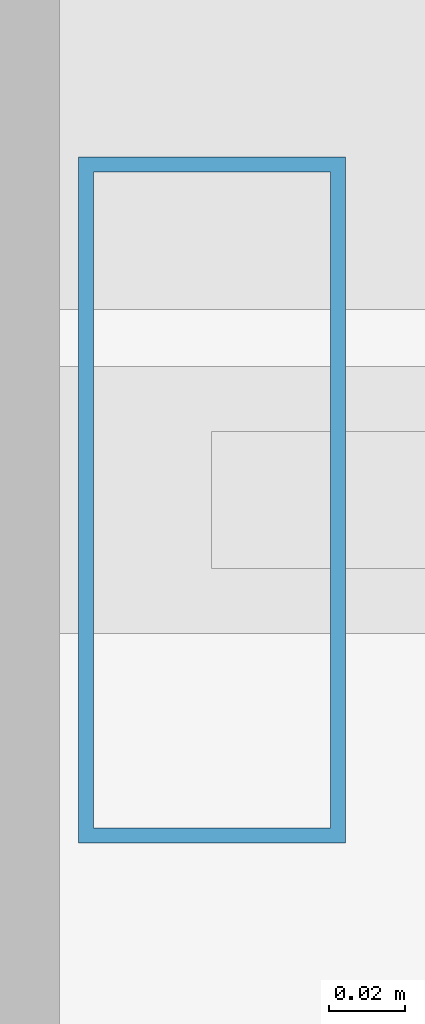
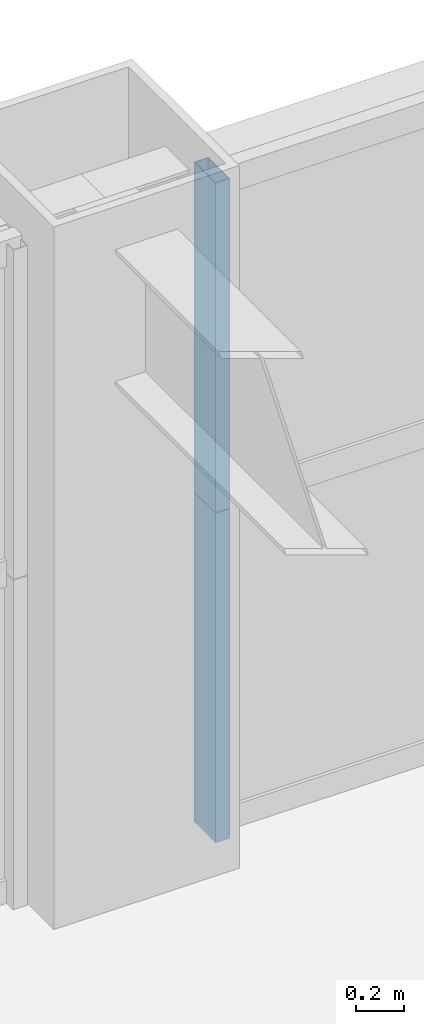
# One storey, part 28 of 41: 2 members, 1 element without a shape of its own.
"""IFC4 building model written with IfcOpenShell, lengths in metres."""

import ifcopenshell
import ifcopenshell.guid

model = None  # the IFC model being written
_history = None  # IfcOwnerHistory: only IFC2X3 demands one
_inside = {}  # id of a spatial element -> (the spatial element, [elements in it])
_under = {}  # id of a project, library or spatial element -> (it, [spatial elements below it])
_declared = {}  # id of a project -> (the project, [libraries it declares])
_typed = {}  # id of a type object -> (the type object, [elements of that type])
_made_of = {}  # id of a material, layer set ... -> (it, [elements and type objects made of it])


def new_model(schema):
    """Start an empty IFC model of exactly this schema.

    Asked for "IFC4X3", IfcOpenShell would pick the latest addendum, in which some entities
    have other attributes; the version numbers below select the first issue.
    IFC2X3 requires an IfcOwnerHistory on every rooted entity: one is made here for all.
    """
    global model, _history
    if schema == "IFC4X3":
        model = ifcopenshell.file(schema_version=(4, 3, 0, 0))
    else:
        model = ifcopenshell.file(schema=schema)
    _inside.clear()
    _under.clear()
    _declared.clear()
    _typed.clear()
    _made_of.clear()
    _history = None
    if model.schema == "IFC2X3":
        org = make("IfcOrganization", Name="unknown")
        user = make(
            "IfcPersonAndOrganization",
            ThePerson=make("IfcPerson", FamilyName="unknown"),
            TheOrganization=org,
        )
        app = make(
            "IfcApplication",
            ApplicationDeveloper=org,
            Version="unknown",
            ApplicationFullName="unknown",
            ApplicationIdentifier="unknown",
        )
        _history = make(
            "IfcOwnerHistory",
            OwningUser=user,
            OwningApplication=app,
            ChangeAction="ADDED",
            CreationDate=0,
        )
    return model


def make(cls, **values):
    """One entity of the class cls with the attributes given. An attribute that is None is left unset."""
    return model.create_entity(
        cls, **{name: value for name, value in values.items() if value is not None}
    )


def rooted(cls, **values):
    """An entity with a GlobalId (a new one), such as an element, a storey or a relation."""
    return make(cls, GlobalId=ifcopenshell.guid.new(), OwnerHistory=_history, **values)


def si_unit(unit_type, name, prefix=None):
    """IfcSIUnit, for example si_unit("LENGTHUNIT", "METRE", prefix="MILLI")."""
    return make("IfcSIUnit", UnitType=unit_type, Prefix=prefix, Name=name)


def assignment(units):
    """IfcUnitAssignment: the units of a project."""
    return None if units is None else make("IfcUnitAssignment", Units=units)


def point(xyz):
    """IfcCartesianPoint."""
    return None if xyz is None else make("IfcCartesianPoint", Coordinates=xyz)


def direction(xyz):
    """IfcDirection."""
    return None if xyz is None else make("IfcDirection", DirectionRatios=xyz)


def frame(location, z_axis=None, x_axis=None):
    """IfcAxis2Placement3D, a coordinate frame: its origin and axes. An axis left out is left unset."""
    return make(
        "IfcAxis2Placement3D",
        Location=point(location),
        Axis=direction(z_axis),
        RefDirection=direction(x_axis),
    )


def frame_2d(location, x_axis=None):
    """IfcAxis2Placement2D, a coordinate frame in the plane: its origin and x axis."""
    return make(
        "IfcAxis2Placement2D", Location=point(location), RefDirection=direction(x_axis)
    )


def origin():
    """The frame at (0, 0, 0) with its axes left unset."""
    return frame((0.0, 0.0, 0.0))


def origin_2d():
    """The frame at (0, 0) in the plane with its x axis left unset."""
    return frame_2d((0.0, 0.0))


def place(relative_to, where):
    """IfcLocalPlacement: puts the frame where relative to a parent placement (None: the world)."""
    return make(
        "IfcLocalPlacement", PlacementRelTo=relative_to, RelativePlacement=where
    )


def context(
    kind, dimensions, precision=None, world=None, true_north=None, identifier=None
):
    """IfcGeometricRepresentationContext, for example the 3D "Model" context."""
    return make(
        "IfcGeometricRepresentationContext",
        ContextIdentifier=identifier,
        ContextType=kind,
        CoordinateSpaceDimension=dimensions,
        Precision=precision,
        WorldCoordinateSystem=world,
        TrueNorth=true_north,
    )


def subcontext(parent, identifier, kind, view, scale=None):
    """IfcGeometricRepresentationSubContext, for example "Body" below "Model"."""
    return make(
        "IfcGeometricRepresentationSubContext",
        ContextIdentifier=identifier,
        ContextType=kind,
        ParentContext=parent,
        TargetScale=scale,
        TargetView=view,
    )


def project(units=None, contexts=None):
    """IfcProject with its units and contexts."""
    return rooted(
        "IfcProject",
        Name="project",
        RepresentationContexts=contexts,
        UnitsInContext=assignment(units),
    )


def spatial(cls, under=None, at=None, **own):
    """A site, building, storey or space (cls), placed at a placement, below another one or the project."""
    s = rooted(cls, ObjectPlacement=at, **own)
    if under is not None:
        _under.setdefault(under.id(), (under, []))[1].append(s)
    return s


def profile(cls, at=None, kind="AREA", **sizes):
    """A parametric profile (cls). Its sizes go by their IFC names, for example OverallWidth=200.0."""
    return make(cls, ProfileType=kind, Position=at, **sizes)


def hollow_rectangle(**sizes):
    """IfcRectangleHollowProfileDef."""
    return profile("IfcRectangleHollowProfileDef", **sizes)


def extrude(swept, where, along, depth):
    """IfcExtrudedAreaSolid: the profile swept, set in the frame where, extruded along a direction by depth."""
    return make(
        "IfcExtrudedAreaSolid",
        SweptArea=swept,
        Position=where,
        ExtrudedDirection=direction(along),
        Depth=depth,
    )


def shape(context_of_items, identifier, shape_type, items):
    """IfcShapeRepresentation: the items that make up one representation, for example the "Body"."""
    return make(
        "IfcShapeRepresentation",
        ContextOfItems=context_of_items,
        RepresentationIdentifier=identifier,
        RepresentationType=shape_type,
        Items=items,
    )


def source(mapping_origin, context_of_items, identifier, shape_type, items):
    """IfcRepresentationMap: a shape defined once, which mapped items show again and again."""
    return make(
        "IfcRepresentationMap",
        MappingOrigin=mapping_origin,
        MappedRepresentation=shape(context_of_items, identifier, shape_type, items),
    )


def transform(
    local_origin,
    x_axis=None,
    y_axis=None,
    z_axis=None,
    scale=None,
    scale2=None,
    scale3=None,
    uniform=True,
):
    """IfcCartesianTransformationOperator3D, or its non-uniform kind. x_axis, y_axis, z_axis: its Axis1, 2, 3."""
    if uniform:
        return make(
            "IfcCartesianTransformationOperator3D",
            Axis1=direction(x_axis),
            Axis2=direction(y_axis),
            LocalOrigin=point(local_origin),
            Scale=scale,
            Axis3=direction(z_axis),
        )
    return make(
        "IfcCartesianTransformationOperator3DnonUniform",
        Axis1=direction(x_axis),
        Axis2=direction(y_axis),
        LocalOrigin=point(local_origin),
        Scale=scale,
        Axis3=direction(z_axis),
        Scale2=scale2,
        Scale3=scale3,
    )


def mapped(mapping_source, mapping_target):
    """IfcMappedItem: shows the shape of a source again, moved by a transform."""
    return make(
        "IfcMappedItem", MappingSource=mapping_source, MappingTarget=mapping_target
    )


def material(Name=None, Category=None):
    """IfcMaterial."""
    return make("IfcMaterial", Name=Name, Category=Category)


def layer(
    of_material, thickness, ventilated=None, Name=None, Category=None, Priority=None
):
    """IfcMaterialLayer: one layer of a wall or slab, of a material (None: an air gap)."""
    return make(
        "IfcMaterialLayer",
        Material=of_material,
        LayerThickness=thickness,
        IsVentilated=ventilated,
        Name=Name,
        Category=Category,
        Priority=Priority,
    )


def layer_set(layers, Name=None):
    """IfcMaterialLayerSet."""
    return make("IfcMaterialLayerSet", MaterialLayers=layers, LayerSetName=Name)


def material_profile(
    of_material, cross_section, Name=None, Category=None, Priority=None
):
    """IfcMaterialProfile: a cross section and its material."""
    return make(
        "IfcMaterialProfile",
        Name=Name,
        Material=of_material,
        Profile=cross_section,
        Priority=Priority,
        Category=Category,
    )


def profile_set(profiles, Name=None, composite=None):
    """IfcMaterialProfileSet."""
    return make(
        "IfcMaterialProfileSet",
        Name=Name,
        MaterialProfiles=profiles,
        CompositeProfile=composite,
    )


def made_of(thing, what):
    """Note that an element or type object is made of a material, layer set ...; save() writes the relation."""
    if what is not None:
        _made_of.setdefault(what.id(), (what, []))[1].append(thing)
    return thing


def type_object(cls, material=None, **own):
    """A type object (cls), such as IfcWallType, which elements share."""
    return made_of(rooted(cls, **own), material)


def element(
    cls,
    number,
    at=None,
    inside=None,
    cuts=None,
    type_object=None,
    material=None,
    context=None,
    identifier="Body",
    shape_type=None,
    held_by="IfcProductDefinitionShape",
    body=None,
    shapes=None,
    **own,
):
    """One element of the class cls, such as IfcWall. Its Tag is "e" and its number.

    at: its placement. inside: the storey or other place that contains it. cuts: it is an
    opening in that element (IfcRelVoidsElement). A single representation is given by context,
    identifier, shape_type and body (its items); several are given by shapes. held_by: the class
    of the entity that holds the representations. save() writes the other relations.
    """
    e = rooted(cls, Tag="e%d" % number, ObjectPlacement=at, **own)
    if body is not None:
        shapes = [shape(context, identifier, shape_type, body)]
    if shapes is not None:
        e.Representation = make(held_by, Representations=shapes)
    if inside is not None:
        _inside.setdefault(inside.id(), (inside, []))[1].append(e)
    if cuts is not None:
        rooted(
            "IfcRelVoidsElement", RelatingBuildingElement=cuts, RelatedOpeningElement=e
        )
    if type_object is not None:
        _typed.setdefault(type_object.id(), (type_object, []))[1].append(e)
    return made_of(e, material)


def aggregate(whole, parts):
    """IfcRelAggregates: a whole, such as a stair, and the parts it consists of."""
    return rooted("IfcRelAggregates", RelatingObject=whole, RelatedObjects=parts)


def save(model, path):
    """Write the relations noted so far, then the file.

    IfcRelAggregates (storeys below a building ...), IfcRelContainedInSpatialStructure (elements
    in a storey), IfcRelDefinesByType, IfcRelAssociatesMaterial and IfcRelDeclares: one each for
    every whole, place, type object, material and project.
    """
    for whole, parts in _under.values():
        aggregate(whole, parts)
    for where, things in _inside.values():
        rooted(
            "IfcRelContainedInSpatialStructure",
            RelatedElements=things,
            RelatingStructure=where,
        )
    for kind, things in _typed.values():
        rooted("IfcRelDefinesByType", RelatedObjects=things, RelatingType=kind)
    for what, things in _made_of.values():
        rooted("IfcRelAssociatesMaterial", RelatedObjects=things, RelatingMaterial=what)
    for by, libraries in _declared.values():
        rooted("IfcRelDeclares", RelatingContext=by, RelatedDefinitions=libraries)
    model.write(path)


model = new_model("IFC4")

# Units and contexts
model_context = context("Model", 3, precision=1e-05, world=origin(), true_north=direction((0.0, 1.0)))
body_context = subcontext(model_context, "Body", "Model", "MODEL_VIEW")
ifc_project = project(units=[si_unit("LENGTHUNIT", "METRE"), si_unit("AREAUNIT", "SQUARE_METRE"), si_unit("VOLUMEUNIT", "CUBIC_METRE"), si_unit("PLANEANGLEUNIT", "RADIAN"), si_unit("MASSUNIT", "GRAM", prefix="KILO"), si_unit("THERMODYNAMICTEMPERATUREUNIT", "KELVIN"), si_unit("POWERUNIT", "WATT")], contexts=[model_context])

# Site, building, storey
site_placement = place(None, origin())
site = spatial("IfcSite", under=ifc_project, at=site_placement, CompositionType="ELEMENT")
building_placement = place(site_placement, origin())
building = spatial("IfcBuilding", under=site, at=building_placement, Name="Yuzanri Waterfront Tower", CompositionType="ELEMENT")
storey_placement = place(building_placement, frame((0.0, 0.0, 122.60009765625)))
storey = spatial("IfcBuildingStorey", under=building, at=storey_placement, Name="L32", CompositionType="ELEMENT", Elevation=122.60009765625)

# Curtain wall, members
ifc_material_1 = material(Name="Anodized Architectural Bronze", Category="metal")
ifc_layer = layer(ifc_material_1, 0.159912109375)
ifc_layer_set = layer_set([ifc_layer], Name="Anodized Architectural Bronze")
curtain_wall_type = type_object("IfcCurtainWallType", Name="Anodized Bronze Hotel Upper-Tier Solar-Control Unitized Curtain Wall 7800", PredefinedType="NOTDEFINED", material=ifc_layer_set)
curtain_wall_placement = place(storey_placement, origin())
curtain_wall = element("IfcCurtainWall", 1, at=curtain_wall_placement, inside=storey, type_object=curtain_wall_type, Name="L32 Curtain Wall CW-L32-NR", PredefinedType="NOTDEFINED")
ifc_material_2 = material(Name="Anodized Architectural Bronze", Category="metal")
ifc_material_profile = material_profile(ifc_material_2, hollow_rectangle(XDim=0.070068359375, YDim=0.179931640625, WallThickness=0.00390625, at=origin_2d()), Name="CWM 70x180")
ifc_profile_set = profile_set([ifc_material_profile], Name="Anodized Architectural Bronze")
member_type = type_object("IfcMemberType", Name="Anodized Bronze Standard Curtain-Wall Mullion 70x180", PredefinedType="MULLION", material=ifc_profile_set)
shared_shape = source(origin(), body_context, "Body", "SweptSolid", [
    extrude(hollow_rectangle(XDim=0.070068359375, YDim=0.179931640625, WallThickness=0.00390625, at=origin_2d()), origin(), (0.0, 0.0, 1.0), 1.68798828125),
])
member_1_placement = place(storey_placement, frame((37.489990234375, 49.25, 0.0), z_axis=(0.0, 0.0, 1.0), x_axis=(1.0, 0.0, 0.0)))
member_1 = element("IfcMember", 2, at=member_1_placement, type_object=member_type, Name="CW-L32-NR Lower Mullion 00", PredefinedType="MULLION", context=body_context, shape_type="MappedRepresentation", body=[
    mapped(shared_shape, transform((0.0, 0.0, 0.0), scale=1.0)),
])
member_2_placement = place(storey_placement, frame((37.489990234375, 49.25, 1.69189453125), z_axis=(0.0, 0.0, 1.0), x_axis=(1.0, 0.0, 0.0)))
member_2 = element("IfcMember", 3, at=member_2_placement, type_object=member_type, Name="CW-L32-NR Upper Mullion 00", PredefinedType="MULLION", context=body_context, shape_type="MappedRepresentation", body=[
    mapped(shared_shape, transform((0.0, 0.0, 0.0), scale=1.0)),
])
aggregate(curtain_wall, [member_1, member_2])

save(model, "model.ifc")
